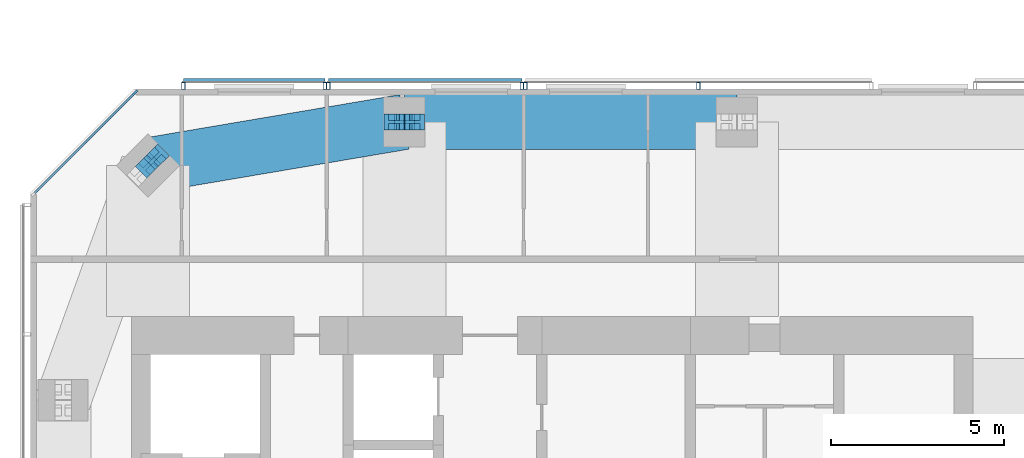
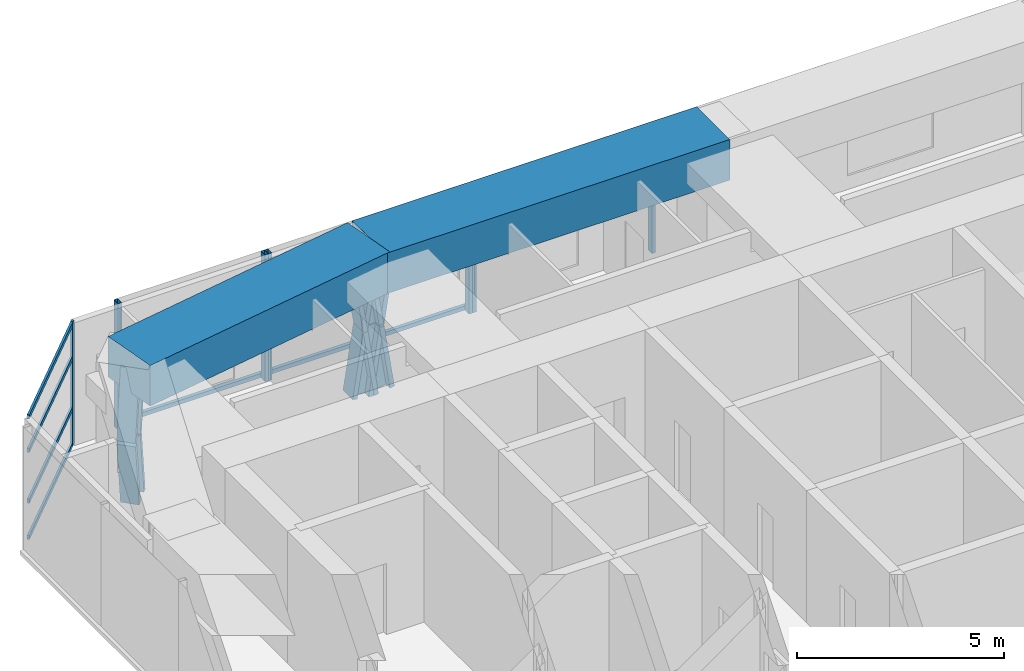
# One storey, part 10 of 20: 19 members, 2 beams, 4 elements without a shape of their own.
"""IFC4 building model written with IfcOpenShell, lengths in metres."""

from ifc_helpers import new_model, si_unit, direction, frame, origin, origin_2d, place, context, subcontext, project, spatial, rectangle, hollow_rectangle, i_section, extrude, material, material_profile, profile_set, type_object, element, aggregate, save


model = new_model("IFC4")

# Units and contexts
model_context = context("Model", 3, precision=1e-05, world=origin(), true_north=direction((0.0, 1.0)))
body_context = subcontext(model_context, "Body", "Model", "MODEL_VIEW")
ifc_project = project(units=[si_unit("LENGTHUNIT", "METRE"), si_unit("AREAUNIT", "SQUARE_METRE"), si_unit("VOLUMEUNIT", "CUBIC_METRE"), si_unit("PLANEANGLEUNIT", "RADIAN"), si_unit("MASSUNIT", "GRAM", prefix="KILO")], contexts=[model_context])

# Site, building, storey
site_placement = place(None, origin())
site = spatial("IfcSite", under=ifc_project, at=site_placement, CompositionType="ELEMENT")
building_placement = place(site_placement, origin())
building = spatial("IfcBuilding", under=site, at=building_placement, Name="Jalousie Tower", CompositionType="ELEMENT")
storey_placement = place(building_placement, frame((0.0, 0.0, 263.85009765625)))
storey = spatial("IfcBuildingStorey", under=building, at=storey_placement, Name="L72", CompositionType="ELEMENT", Elevation=263.85009765625)

# Curtain wall, members
ifc_material_1 = material(Name="Aluminium curtain wall", Category="aluminium")
curtain_wall_type_1 = type_object("IfcCurtainWallType", Name="PENTHOUSE CORNER WINDOW WALL", PredefinedType="USERDEFINED", material=ifc_material_1)
curtain_wall_1_placement = place(storey_placement, origin())
curtain_wall_1 = element("IfcCurtainWall", 1, at=curtain_wall_1_placement, inside=storey, type_object=curtain_wall_type_1, Name="Penthouse Corner Window Wall L72 6", ObjectType="PENTHOUSE CORNER WINDOW WALL", PredefinedType="USERDEFINED")
ifc_material_2 = material(Name="Aluminium mullion", Category="aluminium")
ifc_material_profile_1 = material_profile(ifc_material_2, rectangle(XDim=0.06005859375, YDim=0.179931640625, at=origin_2d()), Name="MULLION 60x180")
ifc_profile_set_1 = profile_set([ifc_material_profile_1], Name="Aluminium mullion")
member_type_1 = type_object("IfcMemberType", Name="PENTHOUSE CORNER WINDOW WALL MULLION", PredefinedType="MULLION", material=ifc_profile_set_1)
member_1_placement = place(storey_placement, frame((19.830078125, 33.891357421875, 0.0), z_axis=(0.0, 0.0, 1.0), x_axis=(0.707106781187, -0.707106781187, 0.0)))
member_1 = element("IfcMember", 2, at=member_1_placement, type_object=member_type_1, Name="CW-H mullion 1", PredefinedType="MULLION", context=body_context, shape_type="SweptSolid", body=[
    extrude(rectangle(XDim=0.06005859375, YDim=0.179931640625, at=origin_2d()), origin(), (0.0, 0.0, 1.0), 3.619873046875),
])
ifc_material_3 = material(Name="Aluminium transom", Category="aluminium")
ifc_material_profile_2 = material_profile(ifc_material_3, rectangle(XDim=0.06005859375, YDim=0.125, at=origin_2d()), Name="TRANSOM 60x125")
ifc_profile_set_2 = profile_set([ifc_material_profile_2], Name="Aluminium transom")
member_type_2 = type_object("IfcMemberType", Name="PENTHOUSE CORNER WINDOW WALL TRANSOM", PredefinedType="USERDEFINED", material=ifc_profile_set_2)
member_2_placement = place(storey_placement, frame((19.808837890625, 33.8701171875, 0.02978515625), z_axis=(-0.707106781187, -0.707106781187, 0.0), x_axis=(0.707106781187, -0.707106781187, 0.0)))
member_2 = element("IfcMember", 3, at=member_2_placement, type_object=member_type_2, Name="CW-H transom 1.1", ObjectType="TRANSOM", PredefinedType="USERDEFINED", context=body_context, shape_type="SweptSolid", body=[
    extrude(rectangle(XDim=0.06005859375, YDim=0.125, at=origin_2d()), origin(), (0.0, 0.0, 1.0), 4.0712890625),
])
member_3_placement = place(storey_placement, frame((19.808837890625, 33.8701171875, 1.099853515625), z_axis=(-0.707106781187, -0.707106781187, 0.0), x_axis=(0.707106781187, -0.707106781187, 0.0)))
member_3 = element("IfcMember", 4, at=member_3_placement, type_object=member_type_2, Name="CW-H transom 1.2", ObjectType="TRANSOM", PredefinedType="USERDEFINED", context=body_context, shape_type="SweptSolid", body=[
    extrude(rectangle(XDim=0.06005859375, YDim=0.125, at=origin_2d()), origin(), (0.0, 0.0, 1.0), 4.0712890625),
])
member_4_placement = place(storey_placement, frame((19.808837890625, 33.8701171875, 2.599853515625), z_axis=(-0.707106781187, -0.707106781187, 0.0), x_axis=(0.707106781187, -0.707106781187, 0.0)))
member_4 = element("IfcMember", 5, at=member_4_placement, type_object=member_type_2, Name="CW-H transom 1.3", ObjectType="TRANSOM", PredefinedType="USERDEFINED", context=body_context, shape_type="SweptSolid", body=[
    extrude(rectangle(XDim=0.06005859375, YDim=0.125, at=origin_2d()), origin(), (0.0, 0.0, 1.0), 4.0712890625),
])
member_5_placement = place(storey_placement, frame((19.808837890625, 33.8701171875, 3.58984375), z_axis=(-0.707106781187, -0.707106781187, 0.0), x_axis=(0.707106781187, -0.707106781187, 0.0)))
member_5 = element("IfcMember", 6, at=member_5_placement, type_object=member_type_2, Name="CW-H transom 1.4", ObjectType="TRANSOM", PredefinedType="USERDEFINED", context=body_context, shape_type="SweptSolid", body=[
    extrude(rectangle(XDim=0.06005859375, YDim=0.125, at=origin_2d()), origin(), (0.0, 0.0, 1.0), 4.0712890625),
])
aggregate(curtain_wall_1, [member_1, member_2, member_3, member_4, member_5])

# Members
ifc_material_4 = material(Name="Steel ASTM A992 Grade 50", Category="steel")
ifc_material_profile_3 = material_profile(ifc_material_4, i_section(OverallWidth=0.472412109375, OverallDepth=0.5791015625, WebThickness=0.094970703125, FlangeThickness=0.1298828125, at=origin_2d()), Name="W14X808")
ifc_profile_set_3 = profile_set([ifc_material_profile_3], Name="Steel ASTM A992 Grade 50")
member_type_3 = type_object("IfcMemberType", Name="PERIMETER BRACE W14X808", PredefinedType="BRACE", material=ifc_profile_set_3)
for number, where, z_axis, x_axis, name in (
    (7, (27.324951171875, 33.050048828125, -0.60009765625), (0.152085080919, 0.0, 0.988367405453), (0.0, 1.0, 0.0), "Perimeter brace 11 L72 part 1"),
    (8, (27.625, 33.050048828125, 1.349853515625), (0.152085080919, 0.0, 0.988367405453), (0.0, 1.0, 0.0), "Perimeter brace 11 L72 part 2"),
    (9, (27.925048828125, 33.050048828125, -0.60009765625), (-0.152085080919, 0.0, 0.988367405453), (0.0, -1.0, 0.0), "Perimeter brace 11 L72 part 3"),
    (10, (27.625, 33.050048828125, 1.349853515625), (-0.152085080919, 0.0, 0.988367405453), (0.0, -1.0, 0.0), "Perimeter brace 11 L72 part 4"),
):
    element("IfcMember", number, at=place(storey_placement, frame(where, z_axis=z_axis, x_axis=x_axis)), inside=storey, type_object=member_type_3, Name=name, PredefinedType="BRACE", context=body_context, shape_type="SweptSolid", body=[
        extrude(i_section(OverallWidth=0.472412109375, OverallDepth=0.5791015625, WebThickness=0.094970703125, FlangeThickness=0.1298828125, at=origin_2d()), origin(), (0.0, 0.0, 1.0), 1.972900390625),
    ])
for number, where, z_axis, x_axis, name in (
    (11, (20.45458984375, 32.040283203125, -0.60009765625), (-0.124960137712, -0.124836902862, 0.984276745467), (0.706757851183, -0.707455539091, 0.0), "Perimeter brace 12 L72 part 1"),
    (12, (20.20703125, 31.79296875, 1.349853515625), (0.124960137712, 0.124836902862, 0.984276745467), (-0.706757851183, 0.707455539091, 0.0), "Perimeter brace 12 L72 part 4"),
):
    element("IfcMember", number, at=place(storey_placement, frame(where, z_axis=z_axis, x_axis=x_axis)), inside=storey, type_object=member_type_3, Name=name, PredefinedType="BRACE", context=body_context, shape_type="SweptSolid", body=[
        extrude(i_section(OverallWidth=0.472412109375, OverallDepth=0.5791015625, WebThickness=0.094970703125, FlangeThickness=0.1298828125, at=origin_2d()), origin(), (0.0, 0.0, 1.0), 1.981201171875),
    ])

# Beams
ifc_material_5 = material(Name="Concrete f'c 40 MPa", Category="concrete")
ifc_material_profile_4 = material_profile(ifc_material_5, rectangle(XDim=1.60009765625, YDim=1.199951171875, at=origin_2d()), Name="RC 1600x1200")
ifc_profile_set_4 = profile_set([ifc_material_profile_4], Name="Concrete f'c 40 MPa")
beam_type = type_object("IfcBeamType", Name="RC BEAM 1600x1200", PredefinedType="BEAM", material=ifc_profile_set_4)
beam_1_placement = place(storey_placement, frame((37.25, 33.050048828125, 3.2998046875), z_axis=(-1.0, 0.0, 0.0), x_axis=(0.0, -1.0, 0.0)))
element("IfcBeam", 13, at=beam_1_placement, inside=storey, type_object=beam_type, Name="Edge band beam 10-11 under L73", PredefinedType="BEAM", context=body_context, shape_type="SweptSolid", body=[
    extrude(rectangle(XDim=1.60009765625, YDim=1.199951171875, at=origin_2d()), origin(), (0.0, 0.0, 1.0), 9.625),
])
beam_2_placement = place(storey_placement, frame((27.625, 33.050048828125, 3.2998046875), z_axis=(-0.985942997446, -0.167082033105, 0.0), x_axis=(0.167082033105, -0.985942997446, 0.0)))
element("IfcBeam", 14, at=beam_2_placement, inside=storey, type_object=beam_type, Name="Edge band beam 11-12 under L73", PredefinedType="BEAM", context=body_context, shape_type="SweptSolid", body=[
    extrude(rectangle(XDim=1.60009765625, YDim=1.199951171875, at=origin_2d()), origin(), (0.0, 0.0, 1.0), 7.523681640625),
])

# Curtain wall, members
ifc_material_6 = material(Name="Perforated aluminium sheet", Category="aluminium")
curtain_wall_type_2 = type_object("IfcCurtainWallType", Name="SOLAR SCREEN SS-2", PredefinedType="USERDEFINED", material=ifc_material_6)
curtain_wall_2_placement = place(storey_placement, origin())
curtain_wall_2 = element("IfcCurtainWall", 15, at=curtain_wall_2_placement, inside=storey, type_object=curtain_wall_type_2, Name="Solar screen L72", ObjectType="SOLAR SCREEN SS-2", PredefinedType="USERDEFINED")
ifc_material_7 = material(Name="Steel ASTM A500 Grade C", Category="steel")
ifc_material_profile_5 = material_profile(ifc_material_7, hollow_rectangle(XDim=0.1015625, YDim=0.203125, WallThickness=0.0078125, at=origin_2d()), Name="HSS8X4X5/16")
ifc_profile_set_5 = profile_set([ifc_material_profile_5], Name="Steel ASTM A500 Grade C")
member_type_4 = type_object("IfcMemberType", Name="SOLAR SCREEN SS-2 MULLION", PredefinedType="MULLION", material=ifc_profile_set_5)
member_6_placement = place(storey_placement, frame((36.1318359375, 34.0966796875, -0.1201171875), z_axis=(0.0, 0.0, 1.0), x_axis=(-1.0, 0.0, 0.0)))
member_6 = element("IfcMember", 16, at=member_6_placement, type_object=member_type_4, Name="SS2 post 2", PredefinedType="MULLION", context=body_context, shape_type="SweptSolid", body=[
    extrude(hollow_rectangle(XDim=0.1015625, YDim=0.203125, WallThickness=0.0078125, at=origin_2d()), origin(), (0.0, 0.0, 1.0), 3.739990234375),
])
member_7_placement = place(storey_placement, frame((31.125, 34.0966796875, -0.1201171875), z_axis=(0.0, 0.0, 1.0), x_axis=(-1.0, 0.0, 0.0)))
member_7 = element("IfcMember", 17, at=member_7_placement, type_object=member_type_4, Name="SS2 post 3", PredefinedType="MULLION", context=body_context, shape_type="SweptSolid", body=[
    extrude(hollow_rectangle(XDim=0.1015625, YDim=0.203125, WallThickness=0.0078125, at=origin_2d()), origin(), (0.0, 0.0, 1.0), 3.739990234375),
])
aggregate(curtain_wall_2, [member_6, member_7])

curtain_wall_3_placement = place(storey_placement, origin())
curtain_wall_3 = element("IfcCurtainWall", 18, at=curtain_wall_3_placement, inside=storey, type_object=curtain_wall_type_2, Name="Solar screen L72", ObjectType="SOLAR SCREEN SS-2", PredefinedType="USERDEFINED")
member_8_placement = place(storey_placement, frame((31.02490234375, 34.0966796875, -0.1201171875), z_axis=(0.0, 0.0, 1.0), x_axis=(-1.0, 0.0, 0.0)))
member_8 = element("IfcMember", 19, at=member_8_placement, type_object=member_type_4, Name="SS2 post 1", PredefinedType="MULLION", context=body_context, shape_type="SweptSolid", body=[
    extrude(hollow_rectangle(XDim=0.1015625, YDim=0.203125, WallThickness=0.0078125, at=origin_2d()), origin(), (0.0, 0.0, 1.0), 3.739990234375),
])
member_9_placement = place(storey_placement, frame((25.425048828125, 34.0966796875, -0.1201171875), z_axis=(0.0, 0.0, 1.0), x_axis=(-1.0, 0.0, 0.0)))
member_9 = element("IfcMember", 20, at=member_9_placement, type_object=member_type_4, Name="SS2 post 2", PredefinedType="MULLION", context=body_context, shape_type="SweptSolid", body=[
    extrude(hollow_rectangle(XDim=0.1015625, YDim=0.203125, WallThickness=0.0078125, at=origin_2d()), origin(), (0.0, 0.0, 1.0), 3.739990234375),
])

curtain_wall_4_placement = place(storey_placement, origin())
curtain_wall_4 = element("IfcCurtainWall", 21, at=curtain_wall_4_placement, inside=storey, type_object=curtain_wall_type_2, Name="Solar screen L72", ObjectType="SOLAR SCREEN SS-2", PredefinedType="USERDEFINED")
member_10_placement = place(storey_placement, frame((25.324951171875, 34.0966796875, -0.1201171875), z_axis=(0.0, 0.0, 1.0), x_axis=(-1.0, 0.0, 0.0)))
member_10 = element("IfcMember", 22, at=member_10_placement, type_object=member_type_4, Name="SS2 post 1", PredefinedType="MULLION", context=body_context, shape_type="SweptSolid", body=[
    extrude(hollow_rectangle(XDim=0.1015625, YDim=0.203125, WallThickness=0.0078125, at=origin_2d()), origin(), (0.0, 0.0, 1.0), 3.739990234375),
])
member_11_placement = place(storey_placement, frame((21.226318359375, 34.0966796875, -0.1201171875), z_axis=(0.0, 0.0, 1.0), x_axis=(-1.0, 0.0, 0.0)))
member_11 = element("IfcMember", 23, at=member_11_placement, type_object=member_type_4, Name="SS2 post 2", PredefinedType="MULLION", context=body_context, shape_type="SweptSolid", body=[
    extrude(hollow_rectangle(XDim=0.1015625, YDim=0.203125, WallThickness=0.0078125, at=origin_2d()), origin(), (0.0, 0.0, 1.0), 3.739990234375),
])

# Member
ifc_material_8 = material(Name="Extruded aluminium screen rail", Category="aluminium")
ifc_material_profile_6 = material_profile(ifc_material_8, rectangle(XDim=0.1015625, YDim=0.1201171875, at=origin_2d()), Name="RAIL 102x120")
ifc_profile_set_6 = profile_set([ifc_material_profile_6], Name="Extruded aluminium screen rail")
member_type_5 = type_object("IfcMemberType", Name="SOLAR SCREEN SS-2 TRANSOM", PredefinedType="USERDEFINED", material=ifc_profile_set_6)
member_12_placement = place(storey_placement, frame((31.02490234375, 34.2490234375, -0.06005859375), z_axis=(-1.0, 0.0, 0.0), x_axis=(0.0, -1.0, 0.0)))
member_12 = element("IfcMember", 24, at=member_12_placement, type_object=member_type_5, Name="SS2 rail", ObjectType="TRANSOM", PredefinedType="USERDEFINED", context=body_context, shape_type="SweptSolid", body=[
    extrude(rectangle(XDim=0.1015625, YDim=0.1201171875, at=origin_2d()), origin(), (0.0, 0.0, 1.0), 5.599853515625),
])

aggregate(curtain_wall_3, [member_8, member_9, member_12])

member_13_placement = place(storey_placement, frame((25.324951171875, 34.2490234375, -0.06005859375), z_axis=(-1.0, 0.0, 0.0), x_axis=(0.0, -1.0, 0.0)))
member_13 = element("IfcMember", 25, at=member_13_placement, type_object=member_type_5, Name="SS2 rail", ObjectType="TRANSOM", PredefinedType="USERDEFINED", context=body_context, shape_type="SweptSolid", body=[
    extrude(rectangle(XDim=0.1015625, YDim=0.1201171875, at=origin_2d()), origin(), (0.0, 0.0, 1.0), 4.0986328125),
])

aggregate(curtain_wall_4, [member_10, member_11, member_13])

save(model, "model.ifc")
